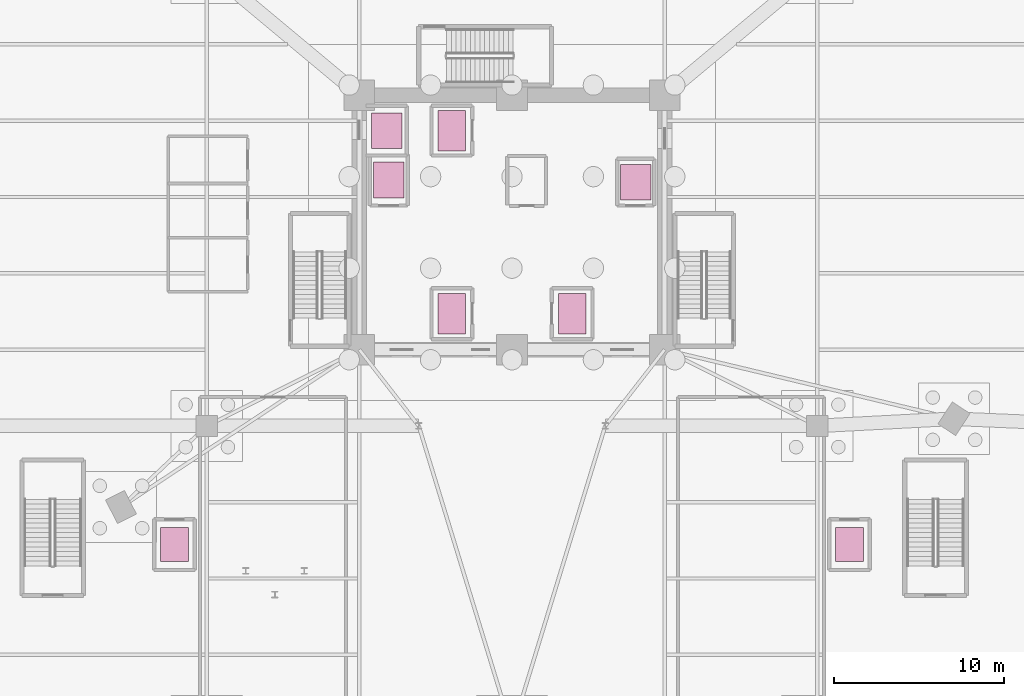
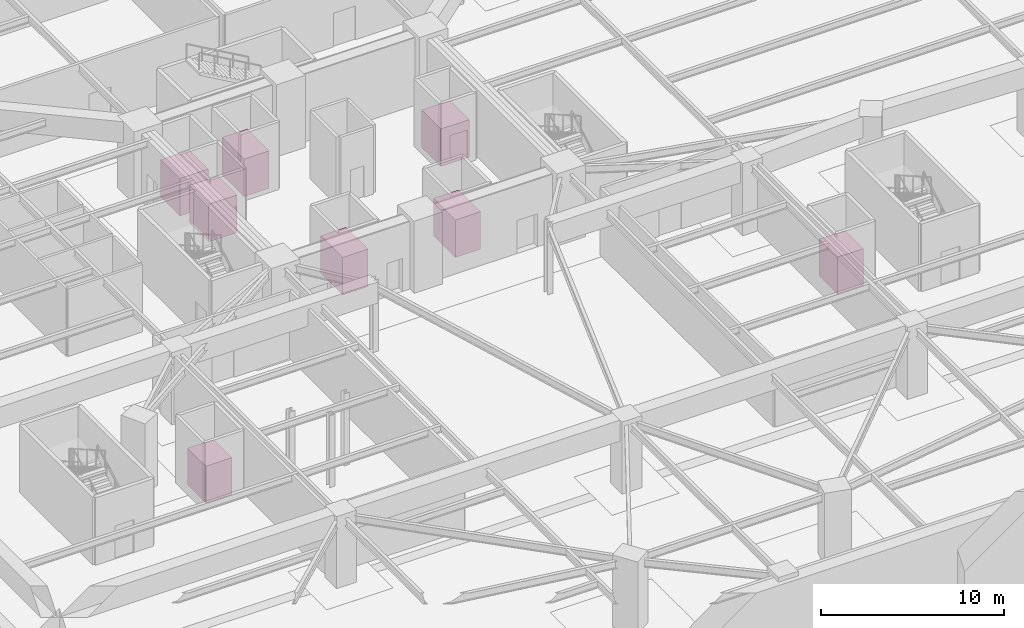
# One storey, part 19 of 19: 8 transport elements.
"""IFC4 building model written with IfcOpenShell, lengths in metres."""

from ifc_helpers import new_model, si_unit, direction, frame, origin, origin_2d, place, context, subcontext, project, spatial, rectangle, extrude, source, transform, mapped, material, type_object, element, save


model = new_model("IFC4")

# Units and contexts
model_context = context("Model", 3, precision=1e-05, world=origin(), true_north=direction((0.0, 1.0)))
body_context = subcontext(model_context, "Body", "Model", "MODEL_VIEW")
ifc_project = project(units=[si_unit("LENGTHUNIT", "METRE"), si_unit("AREAUNIT", "SQUARE_METRE"), si_unit("VOLUMEUNIT", "CUBIC_METRE"), si_unit("PLANEANGLEUNIT", "RADIAN"), si_unit("MASSUNIT", "GRAM", prefix="KILO")], contexts=[model_context])

# Site, building, storey
site_placement = place(None, origin())
site = spatial("IfcSite", under=ifc_project, at=site_placement, CompositionType="ELEMENT")
building_placement = place(site_placement, origin())
building = spatial("IfcBuilding", under=site, at=building_placement, Name="Liaohun Quay Tower", CompositionType="ELEMENT")
storey_placement = place(building_placement, frame((0.0, 0.0, -9.60009765625)))
storey = spatial("IfcBuildingStorey", under=building, at=storey_placement, Name="B2", CompositionType="ELEMENT", Elevation=-9.60009765625)

# Transport elements
ifc_material_1 = material(Name="Stainless steel lift car", Category="steel")
transport_element_type_1 = type_object("IfcTransportElementType", Name="LFT-FF-2000", PredefinedType="ELEVATOR", material=ifc_material_1)
shared_shape_1 = source(origin(), body_context, "Body", "SweptSolid", [
    extrude(rectangle(XDim=1.60009765625, YDim=2.39990234375, at=origin_2d()), origin(), (0.0, 0.0, 1.0), 2.5),
])
for number, where, z_axis, x_axis, name in (
    (1, (56.449951171875, 48.6201171875, 0.0), (0.0, 0.0, 1.0), (1.0, 0.0, 0.0), "Firefighting Stretcher Lift FF-01"),
    (2, (63.550048828125, 48.6201171875, 0.0), (0.0, 0.0, 1.0), (1.0, 0.0, 0.0), "Firefighting Stretcher Lift FF-02"),
    (3, (56.449951171875, 59.4150390625, 0.0), (0.0, 0.0, 1.0), (1.0, 0.0, 0.0), "Firefighting Stretcher Lift FF-03"),
):
    element("IfcTransportElement", number, at=place(storey_placement, frame(where, z_axis=z_axis, x_axis=x_axis)), inside=storey, type_object=transport_element_type_1, Name=name, PredefinedType="ELEVATOR", context=body_context, shape_type="MappedRepresentation", body=[
        mapped(shared_shape_1, transform((0.0, 0.0, 0.0), x_axis=(1.0, 0.0, 0.0), y_axis=(0.0, 1.0, 0.0), z_axis=(0.0, 0.0, 1.0), scale=1.0)),
    ])
ifc_material_2 = material(Name="Stainless steel sky-lobby shuttle car", Category="steel")
transport_element_type_2 = type_object("IfcTransportElementType", Name="LFT-SHU-1800", PredefinedType="ELEVATOR", material=ifc_material_2)
shared_shape_2 = source(origin(), body_context, "Body", "SweptSolid", [
    extrude(rectangle(XDim=1.800048828125, YDim=2.10009765625, at=origin_2d()), origin(), (0.0, 0.0, 1.0), 2.5),
])
for number, where, z_axis, x_axis, name in (
    (4, (52.60009765625, 59.4150390625, 0.0), (0.0, 0.0, 1.0), (1.0, 0.0, 0.0), "Passenger Lift SH-01"),
    (5, (52.735107421875, 56.5, 0.0), (0.0, 0.0, 1.0), (1.0, 0.0, 0.0), "Passenger Lift SH-02"),
    (6, (67.2900390625, 56.375, 0.0), (0.0, 0.0, 1.0), (1.0, 0.0, 0.0), "Passenger Lift SH-03"),
):
    element("IfcTransportElement", number, at=place(storey_placement, frame(where, z_axis=z_axis, x_axis=x_axis)), inside=storey, type_object=transport_element_type_2, Name=name, PredefinedType="ELEVATOR", context=body_context, shape_type="MappedRepresentation", body=[
        mapped(shared_shape_2, transform((0.0, 0.0, 0.0), x_axis=(1.0, 0.0, 0.0), y_axis=(0.0, 1.0, 0.0), z_axis=(0.0, 0.0, 1.0), scale=1.0)),
    ])
ifc_material_3 = material(Name="Brushed stainless steel passenger car", Category="steel")
transport_element_type_3 = type_object("IfcTransportElementType", Name="LFT-PAS-1600", PredefinedType="ELEVATOR", material=ifc_material_3)
shared_shape_3 = source(origin(), body_context, "Body", "SweptSolid", [
    extrude(rectangle(XDim=1.64990234375, YDim=2.0, at=origin_2d()), origin(), (0.0, 0.0, 1.0), 2.449951171875),
])
for number, where, z_axis, x_axis, name in (
    (7, (40.10009765625, 35.0, 0.0), (0.0, 0.0, 1.0), (1.0, 0.0, 0.0), "Passenger Lift PD-01"),
    (8, (79.89990234375, 35.0, 0.0), (0.0, 0.0, 1.0), (1.0, 0.0, 0.0), "Passenger Lift PD-02"),
):
    element("IfcTransportElement", number, at=place(storey_placement, frame(where, z_axis=z_axis, x_axis=x_axis)), inside=storey, type_object=transport_element_type_3, Name=name, PredefinedType="ELEVATOR", context=body_context, shape_type="MappedRepresentation", body=[
        mapped(shared_shape_3, transform((0.0, 0.0, 0.0), x_axis=(1.0, 0.0, 0.0), y_axis=(0.0, 1.0, 0.0), z_axis=(0.0, 0.0, 1.0), scale=1.0)),
    ])

save(model, "model.ifc")
